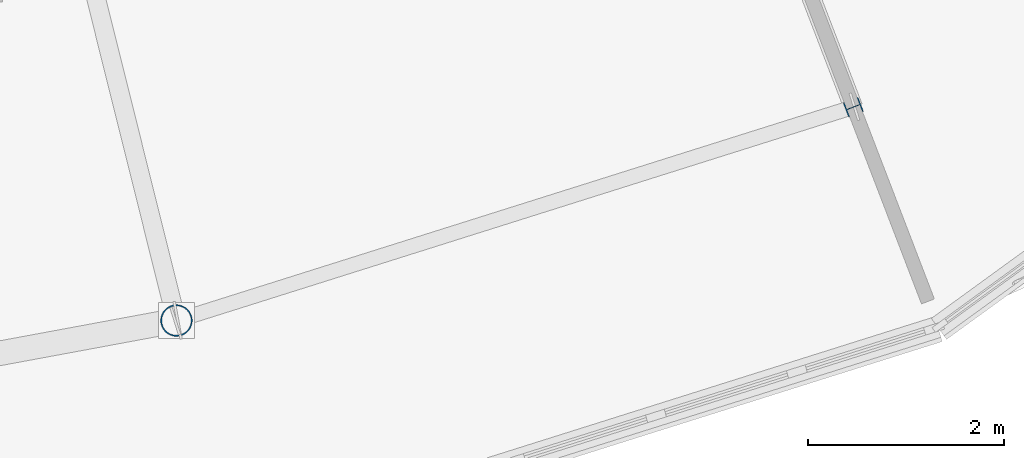
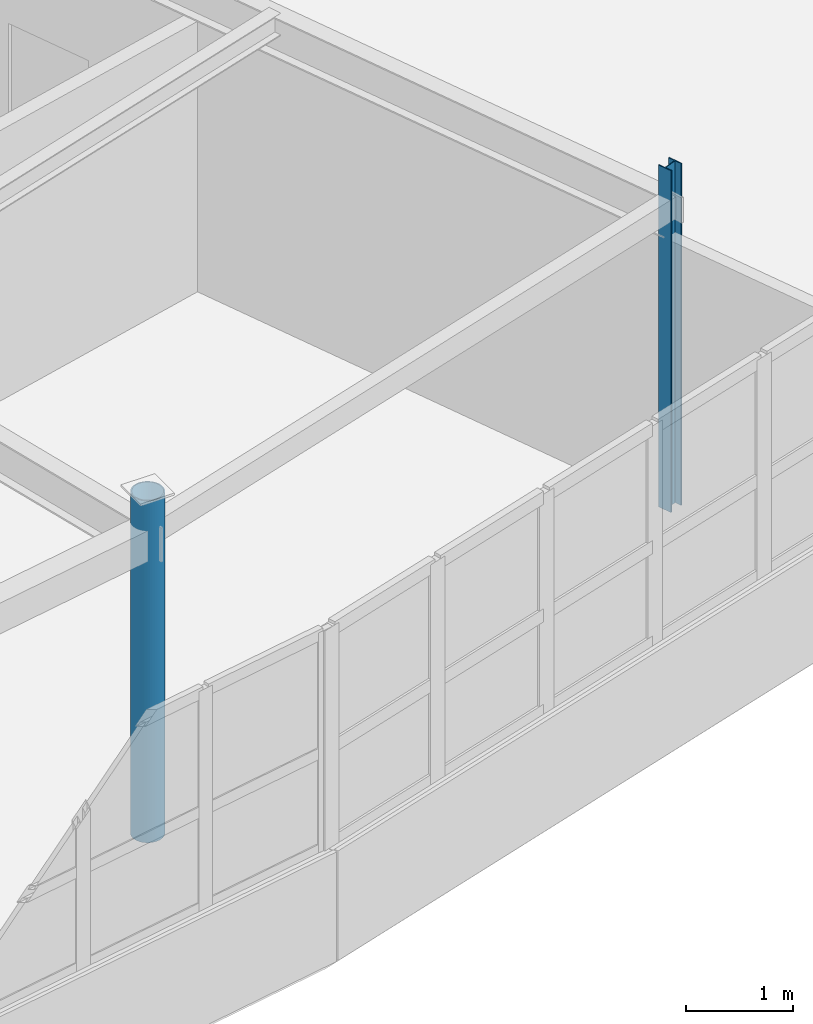
# One storey, part 4 of 65: 2 columns.
"""IFC4 building model written with IfcOpenShell, lengths in metres."""

from ifc_helpers import new_model, si_unit, direction, frame, origin, origin_2d, place, context, subcontext, project, spatial, hollow_circle, i_section, extrude, material, material_profile, profile_set, type_object, element, save


model = new_model("IFC4")

# Units and contexts
model_context = context("Model", 3, precision=1e-05, world=origin(), true_north=direction((0.0, 1.0)))
body_context = subcontext(model_context, "Body", "Model", "MODEL_VIEW")
ifc_project = project(units=[si_unit("LENGTHUNIT", "METRE"), si_unit("AREAUNIT", "SQUARE_METRE"), si_unit("VOLUMEUNIT", "CUBIC_METRE"), si_unit("PLANEANGLEUNIT", "RADIAN"), si_unit("MASSUNIT", "GRAM", prefix="KILO")], contexts=[model_context])

# Site, building, storey
site_placement = place(None, origin())
site = spatial("IfcSite", under=ifc_project, at=site_placement, CompositionType="ELEMENT")
building_placement = place(site_placement, origin())
building = spatial("IfcBuilding", under=site, at=building_placement, Name="Tarnwether General Hospital", CompositionType="ELEMENT")
storey_placement = place(building_placement, frame((0.0, 0.0, 22.199951171875)))
storey = spatial("IfcBuildingStorey", under=building, at=storey_placement, Name="L05", CompositionType="ELEMENT", Elevation=22.199951171875)

# Columns
ifc_material_1 = material(Name="Steel Grade C350L0 (350 MPa)", Category="steel")
ifc_material_profile_1 = material_profile(ifc_material_1, hollow_circle(Radius=0.161865234375, WallThickness=0.0126953125, at=origin_2d()), Name="CHS323.9x12.7")
ifc_profile_set_1 = profile_set([ifc_material_profile_1], Name="Steel Grade C350L0 (350 MPa)")
column_type_1 = type_object("IfcColumnType", Name="COL-26", PredefinedType="COLUMN", material=ifc_profile_set_1)
column_1_placement = place(storey_placement, frame((106.322021484375, 5.55810546875, 0.0), z_axis=(0.0, 0.0, 1.0), x_axis=(-0.2419218956, 0.970295726276, 0.0)))
element("IfcColumn", 1, at=column_1_placement, inside=storey, type_object=column_type_1, Name="Column COLG-L05-10632_556", PredefinedType="COLUMN", context=body_context, shape_type="SweptSolid", body=[
    extrude(hollow_circle(Radius=0.161865234375, WallThickness=0.0126953125, at=origin_2d()), origin(), (0.0, 0.0, 1.0), 3.900146484375),
])
ifc_material_2 = material(Name="Steel Grade 350 (350 MPa)", Category="steel")
ifc_material_profile_2 = material_profile(ifc_material_2, i_section(OverallWidth=0.154052734375, OverallDepth=0.162109375, WebThickness=0.008056640625, FlangeThickness=0.011474609375, at=origin_2d()), Name="150UC37.2")
ifc_profile_set_2 = profile_set([ifc_material_profile_2], Name="Steel Grade 350 (350 MPa)")
column_type_2 = type_object("IfcColumnType", Name="COL-28", PredefinedType="COLUMN", material=ifc_profile_set_2)
column_2_placement = place(storey_placement, frame((113.215087890625, 7.73193359375, 0.0), z_axis=(0.0, 0.0, 1.0), x_axis=(-0.358367949545, 0.933580426497, 0.0)))
element("IfcColumn", 2, at=column_2_placement, inside=storey, type_object=column_type_2, Name="Column COLG-L05-11322_773", PredefinedType="COLUMN", context=body_context, shape_type="SweptSolid", body=[
    extrude(i_section(OverallWidth=0.154052734375, OverallDepth=0.162109375, WebThickness=0.008056640625, FlangeThickness=0.011474609375, at=origin_2d()), origin(), (0.0, 0.0, 1.0), 3.900146484375),
])

save(model, "model.ifc")
